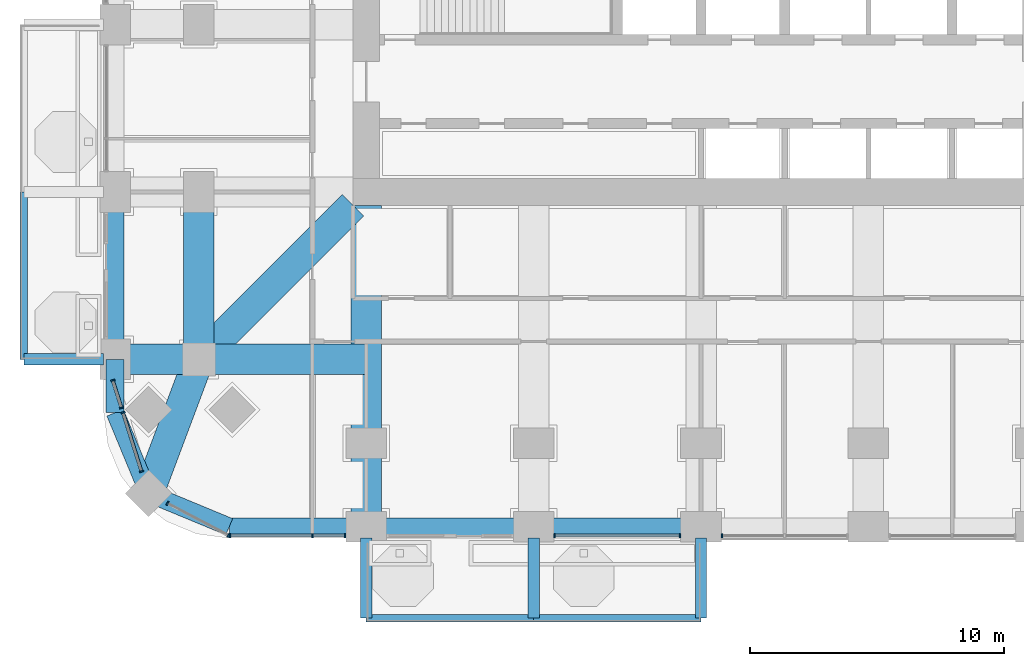
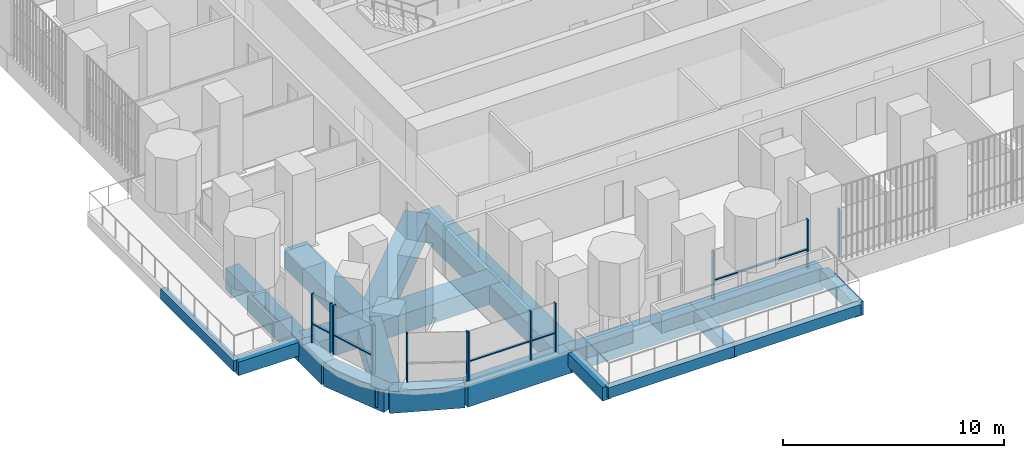
# One storey, part 2 of 21: 20 beams, 17 members, 6 elements without a shape of their own.
"""IFC4 building model written with IfcOpenShell, lengths in metres."""

from ifc_helpers import new_model, si_unit, direction, frame, origin, origin_2d, place, context, subcontext, project, spatial, rectangle, extrude, material, material_profile, profile_set, type_object, element, aggregate, save


model = new_model("IFC4")

# Units and contexts
model_context = context("Model", 3, precision=1e-05, world=origin(), true_north=direction((0.0, 1.0)))
body_context = subcontext(model_context, "Body", "Model", "MODEL_VIEW")
ifc_project = project(units=[si_unit("LENGTHUNIT", "METRE"), si_unit("AREAUNIT", "SQUARE_METRE"), si_unit("VOLUMEUNIT", "CUBIC_METRE"), si_unit("PLANEANGLEUNIT", "RADIAN"), si_unit("MASSUNIT", "GRAM", prefix="KILO")], contexts=[model_context])

# Site, building, storey
site_placement = place(None, origin())
site = spatial("IfcSite", under=ifc_project, at=site_placement, CompositionType="ELEMENT")
building_placement = place(site_placement, origin())
building = spatial("IfcBuilding", under=site, at=building_placement, Name="Cobogo Forest Laboratory Tower", CompositionType="ELEMENT")
storey_placement = place(building_placement, frame((0.0, 0.0, 107.39990234375)))
storey = spatial("IfcBuildingStorey", under=building, at=storey_placement, Name="L24", CompositionType="ELEMENT", Elevation=107.39990234375)

# Beams
ifc_material_1 = material(Name="Concrete HA-40 (C40/50)", Category="concrete")
ifc_material_profile_1 = material_profile(ifc_material_1, rectangle(XDim=0.449951171875, YDim=0.75, at=origin_2d()), Name="RC 450x750")
ifc_profile_set_1 = profile_set([ifc_material_profile_1], Name="Concrete HA-40 (C40/50)")
beam_type_1 = type_object("IfcBeamType", Name="Balcony cantilever beam 450x750", PredefinedType="BEAM", material=ifc_profile_set_1)
for number, where, z_axis, x_axis, name in (
    (1, (13.199951171875, -0.449951171875, -0.625), (0.0, -1.0, 0.0), (1.0, 0.0, 0.0), "CB1 BAL-S1-C1 L24"),
    (2, (19.800048828125, -0.449951171875, -0.625), (0.0, -1.0, 0.0), (1.0, 0.0, 0.0), "CB1 BAL-S1-C2 L24"),
    (3, (26.39990234375, -0.449951171875, -0.625), (0.0, -1.0, 0.0), (1.0, 0.0, 0.0), "CB1 BAL-S1-C3 L24"),
    (4, (2.85009765625, 6.60009765625, -0.625), (-1.0, 0.0, 0.0), (0.0, -1.0, 0.0), "CB1 BAL-W1-C1 L24"),
):
    element("IfcBeam", number, at=place(storey_placement, frame(where, z_axis=z_axis, x_axis=x_axis)), inside=storey, type_object=beam_type_1, Name=name, PredefinedType="BEAM", context=body_context, shape_type="SweptSolid", body=[
        extrude(rectangle(XDim=0.449951171875, YDim=0.75, at=origin_2d()), origin(), (0.0, 0.0, 1.0), 3.150146484375),
    ])
ifc_material_profile_2 = material_profile(ifc_material_1, rectangle(XDim=0.300048828125, YDim=0.60009765625, at=origin_2d()), Name="RC 300x600")
ifc_profile_set_2 = profile_set([ifc_material_profile_2], Name="Concrete HA-40 (C40/50)")
beam_type_2 = type_object("IfcBeamType", Name="Balcony edge beam 300x600", PredefinedType="BEAM", material=ifc_profile_set_2)
beam_1_placement = place(storey_placement, frame((13.199951171875, -3.60009765625, -0.5498046875), z_axis=(1.0, 0.0, 0.0), x_axis=(0.0, 1.0, 0.0)))
element("IfcBeam", 5, at=beam_1_placement, inside=storey, type_object=beam_type_2, Name="BB1 BAL-S1-T1 L24", PredefinedType="BEAM", context=body_context, shape_type="SweptSolid", body=[
    extrude(rectangle(XDim=0.300048828125, YDim=0.60009765625, at=origin_2d()), origin(), (0.0, 0.0, 1.0), 6.60009765625),
])
for number, where, z_axis, x_axis, name in (
    (6, (19.800048828125, -3.60009765625, -0.5498046875), (1.0, 0.0, 0.0), (0.0, 1.0, 0.0), "BB1 BAL-S1-T2 L24"),
    (7, (-0.300048828125, 6.60009765625, -0.5498046875), (0.0, 1.0, 0.0), (-1.0, 0.0, 0.0), "BB1 BAL-W1-T1 L24"),
):
    element("IfcBeam", number, at=place(storey_placement, frame(where, z_axis=z_axis, x_axis=x_axis)), inside=storey, type_object=beam_type_2, Name=name, PredefinedType="BEAM", context=body_context, shape_type="SweptSolid", body=[
        extrude(rectangle(XDim=0.300048828125, YDim=0.60009765625, at=origin_2d()), origin(), (0.0, 0.0, 1.0), 6.599853515625),
    ])
ifc_material_profile_3 = material_profile(ifc_material_1, rectangle(XDim=1.199951171875, YDim=1.050048828125, at=origin_2d()), Name="RC 1200x1050")
ifc_profile_set_3 = profile_set([ifc_material_profile_3], Name="Concrete HA-40 (C40/50)")
beam_type_3 = type_object("IfcBeamType", Name="Laboratory floor wide beam 1200x1050", PredefinedType="BEAM", material=ifc_profile_set_3)
beam_2_placement = place(storey_placement, frame((13.199951171875, 12.675048828125, -0.824951171875), z_axis=(0.0, -1.0, 0.0), x_axis=(1.0, 0.0, 0.0)))
element("IfcBeam", 8, at=beam_2_placement, inside=storey, type_object=beam_type_3, Name="RB1 R-3-S L24", PredefinedType="BEAM", context=body_context, shape_type="SweptSolid", body=[
    extrude(rectangle(XDim=1.199951171875, YDim=1.050048828125, at=origin_2d()), origin(), (0.0, 0.0, 1.0), 12.675048828125),
])
beam_3_placement = place(storey_placement, frame((6.60009765625, 6.60009765625, -0.824951171875), z_axis=(0.0, 1.0, 0.0), x_axis=(-1.0, 0.0, 0.0)))
element("IfcBeam", 9, at=beam_3_placement, inside=storey, type_object=beam_type_3, Name="RB1 G-SW-XC L24", PredefinedType="BEAM", context=body_context, shape_type="SweptSolid", body=[
    extrude(rectangle(XDim=1.199951171875, YDim=1.050048828125, at=origin_2d()), origin(), (0.0, 0.0, 1.0), 6.599853515625),
])
beam_4_placement = place(storey_placement, frame((3.300048828125, 6.60009765625, -0.824951171875), z_axis=(1.0, 0.0, 0.0), x_axis=(0.0, 1.0, 0.0)))
element("IfcBeam", 10, at=beam_4_placement, inside=storey, type_object=beam_type_3, Name="RB1 G-SW-YF L24", PredefinedType="BEAM", context=body_context, shape_type="SweptSolid", body=[
    extrude(rectangle(XDim=1.199951171875, YDim=1.050048828125, at=origin_2d()), origin(), (0.0, 0.0, 1.0), 3.300048828125),
])
beam_5_placement = place(storey_placement, frame((6.60009765625, 6.60009765625, -0.824951171875), z_axis=(1.0, 0.0, 0.0), x_axis=(0.0, 1.0, 0.0)))
element("IfcBeam", 11, at=beam_5_placement, inside=storey, type_object=beam_type_3, Name="RB1 G-SW-YC L24", PredefinedType="BEAM", context=body_context, shape_type="SweptSolid", body=[
    extrude(rectangle(XDim=1.199951171875, YDim=1.050048828125, at=origin_2d()), origin(), (0.0, 0.0, 1.0), 6.599853515625),
])
beam_6_placement = place(storey_placement, frame((4.617919921875, 1.318115234375, -0.824951171875), z_axis=(0.351346325373, 0.936245565889, 0.0), x_axis=(-0.936245565889, 0.351346325373, 0.0)))
element("IfcBeam", 12, at=beam_6_placement, inside=storey, type_object=beam_type_3, Name="RB1 G-SW-D1 L24", PredefinedType="BEAM", context=body_context, shape_type="SweptSolid", body=[
    extrude(rectangle(XDim=1.199951171875, YDim=1.050048828125, at=origin_2d()), origin(), (0.0, 0.0, 1.0), 5.6416015625),
])
beam_7_placement = place(storey_placement, frame((6.60009765625, 6.60009765625, -0.824951171875), z_axis=(0.707106781187, 0.707106781187, 0.0), x_axis=(-0.707106781187, 0.707106781187, 0.0)))
element("IfcBeam", 13, at=beam_7_placement, inside=storey, type_object=beam_type_3, Name="RB1 G-SW-D2 L24", PredefinedType="BEAM", context=body_context, shape_type="SweptSolid", body=[
    extrude(rectangle(XDim=1.199951171875, YDim=1.050048828125, at=origin_2d()), origin(), (0.0, 0.0, 1.0), 8.59130859375),
])

# Curtain wall, members
ifc_material_2 = material(Name="Aluminium curtain wall", Category="aluminium")
curtain_wall_type = type_object("IfcCurtainWallType", Name="CW-1 unitised curtain wall, clear glazing, laboratory floors zones A and B", PredefinedType="USERDEFINED", material=ifc_material_2)
curtain_wall_1_placement = place(storey_placement, origin())
curtain_wall_1 = element("IfcCurtainWall", 14, at=curtain_wall_1_placement, inside=storey, type_object=curtain_wall_type, Name="Curtain wall 01 L24", ObjectType="UNITISED CURTAIN WALL", PredefinedType="USERDEFINED")
ifc_material_3 = material(Name="Aluminium mullion", Category="aluminium")
ifc_material_profile_4 = material_profile(ifc_material_3, rectangle(XDim=0.06005859375, YDim=0.159912109375, at=origin_2d()), Name="AL 60x160")
ifc_profile_set_4 = profile_set([ifc_material_profile_4], Name="Aluminium mullion")
member_type_1 = type_object("IfcMemberType", Name="MU-1 aluminium mullion 60x160", PredefinedType="MULLION", material=ifc_profile_set_4)
member_1_placement = place(storey_placement, frame((7.830078125, -0.35009765625, 0.0), z_axis=(0.0, 0.0, 1.0), x_axis=(1.0, 0.0, 0.0)))
member_1 = element("IfcMember", 15, at=member_1_placement, type_object=member_type_1, Name="CW-1 mullion 1", PredefinedType="MULLION", context=body_context, shape_type="SweptSolid", body=[
    extrude(rectangle(XDim=0.06005859375, YDim=0.159912109375, at=origin_2d()), origin(), (0.0, 0.0, 1.0), 2.7001953125),
])
member_2_placement = place(storey_placement, frame((11.074951171875, -0.35009765625, 0.0), z_axis=(0.0, 0.0, 1.0), x_axis=(1.0, 0.0, 0.0)))
member_2 = element("IfcMember", 16, at=member_2_placement, type_object=member_type_1, Name="CW-1 mullion 2", PredefinedType="MULLION", context=body_context, shape_type="SweptSolid", body=[
    extrude(rectangle(XDim=0.06005859375, YDim=0.159912109375, at=origin_2d()), origin(), (0.0, 0.0, 1.0), 2.7001953125),
])
member_3_placement = place(storey_placement, frame((12.3701171875, -0.35009765625, 0.0), z_axis=(0.0, 0.0, 1.0), x_axis=(1.0, 0.0, 0.0)))
member_3 = element("IfcMember", 17, at=member_3_placement, type_object=member_type_1, Name="CW-1 mullion 3", PredefinedType="MULLION", context=body_context, shape_type="SweptSolid", body=[
    extrude(rectangle(XDim=0.06005859375, YDim=0.159912109375, at=origin_2d()), origin(), (0.0, 0.0, 1.0), 2.7001953125),
])

curtain_wall_2_placement = place(storey_placement, origin())
curtain_wall_2 = element("IfcCurtainWall", 18, at=curtain_wall_2_placement, inside=storey, type_object=curtain_wall_type, Name="Curtain wall 03 L24", ObjectType="UNITISED CURTAIN WALL", PredefinedType="USERDEFINED")
member_4_placement = place(storey_placement, frame((20.6298828125, -0.35009765625, 0.0), z_axis=(0.0, 0.0, 1.0), x_axis=(1.0, 0.0, 0.0)))
member_4 = element("IfcMember", 19, at=member_4_placement, type_object=member_type_1, Name="CW-1 mullion 1", PredefinedType="MULLION", context=body_context, shape_type="SweptSolid", body=[
    extrude(rectangle(XDim=0.06005859375, YDim=0.159912109375, at=origin_2d()), origin(), (0.0, 0.0, 1.0), 2.7001953125),
])
member_5_placement = place(storey_placement, frame((25.570068359375, -0.35009765625, 0.0), z_axis=(0.0, 0.0, 1.0), x_axis=(1.0, 0.0, 0.0)))
member_5 = element("IfcMember", 20, at=member_5_placement, type_object=member_type_1, Name="CW-1 mullion 2", PredefinedType="MULLION", context=body_context, shape_type="SweptSolid", body=[
    extrude(rectangle(XDim=0.06005859375, YDim=0.159912109375, at=origin_2d()), origin(), (0.0, 0.0, 1.0), 2.7001953125),
])

# Curtain wall, member
curtain_wall_3_placement = place(storey_placement, origin())
curtain_wall_3 = element("IfcCurtainWall", 21, at=curtain_wall_3_placement, inside=storey, type_object=curtain_wall_type, Name="Curtain wall 04 L24", ObjectType="UNITISED CURTAIN WALL", PredefinedType="USERDEFINED")
member_6_placement = place(storey_placement, frame((27.22998046875, -0.35009765625, 0.0), z_axis=(0.0, 0.0, 1.0), x_axis=(1.0, 0.0, 0.0)))
member_6 = element("IfcMember", 22, at=member_6_placement, type_object=member_type_1, Name="CW-1 mullion 1", PredefinedType="MULLION", context=body_context, shape_type="SweptSolid", body=[
    extrude(rectangle(XDim=0.06005859375, YDim=0.159912109375, at=origin_2d()), origin(), (0.0, 0.0, 1.0), 2.7001953125),
])
aggregate(curtain_wall_3, [member_6])

# Curtain wall, members
curtain_wall_4_placement = place(storey_placement, origin())
curtain_wall_4 = element("IfcCurtainWall", 23, at=curtain_wall_4_placement, inside=storey, type_object=curtain_wall_type, Name="Curtain wall 32 L24", ObjectType="UNITISED CURTAIN WALL", PredefinedType="USERDEFINED")
member_7_placement = place(storey_placement, frame((3.211669921875, 5.771484375, 0.0), z_axis=(0.0, 0.0, 1.0), x_axis=(0.301135667865, -0.953581307252, 0.0)))
member_7 = element("IfcMember", 24, at=member_7_placement, type_object=member_type_1, Name="CW-1 mullion 1", PredefinedType="MULLION", context=body_context, shape_type="SweptSolid", body=[
    extrude(rectangle(XDim=0.06005859375, YDim=0.159912109375, at=origin_2d()), origin(), (0.0, 0.0, 1.0), 2.7001953125),
])
member_8_placement = place(storey_placement, frame((3.55224609375, 4.69287109375, 0.0), z_axis=(0.0, 0.0, 1.0), x_axis=(0.301135667865, -0.953581307252, 0.0)))
member_8 = element("IfcMember", 25, at=member_8_placement, type_object=member_type_1, Name="CW-1 mullion 2", PredefinedType="MULLION", context=body_context, shape_type="SweptSolid", body=[
    extrude(rectangle(XDim=0.06005859375, YDim=0.159912109375, at=origin_2d()), origin(), (0.0, 0.0, 1.0), 2.7001953125),
])

curtain_wall_5_placement = place(storey_placement, origin())
curtain_wall_5 = element("IfcCurtainWall", 26, at=curtain_wall_5_placement, inside=storey, type_object=curtain_wall_type, Name="Curtain wall 33 L24", ObjectType="UNITISED CURTAIN WALL", PredefinedType="USERDEFINED")
member_9_placement = place(storey_placement, frame((3.613037109375, 4.500244140625, 0.0), z_axis=(0.0, 0.0, 1.0), x_axis=(0.301135291996, -0.953581425949, 0.0)))
member_9 = element("IfcMember", 27, at=member_9_placement, type_object=member_type_1, Name="CW-1 mullion 1", PredefinedType="MULLION", context=body_context, shape_type="SweptSolid", body=[
    extrude(rectangle(XDim=0.06005859375, YDim=0.159912109375, at=origin_2d()), origin(), (0.0, 0.0, 1.0), 2.7001953125),
])
member_10_placement = place(storey_placement, frame((4.34423828125, 2.18505859375, 0.0), z_axis=(0.0, 0.0, 1.0), x_axis=(0.301135291996, -0.953581425949, 0.0)))
member_10 = element("IfcMember", 28, at=member_10_placement, type_object=member_type_1, Name="CW-1 mullion 2", PredefinedType="MULLION", context=body_context, shape_type="SweptSolid", body=[
    extrude(rectangle(XDim=0.06005859375, YDim=0.159912109375, at=origin_2d()), origin(), (0.0, 0.0, 1.0), 2.7001953125),
])

curtain_wall_6_placement = place(storey_placement, origin())
curtain_wall_6 = element("IfcCurtainWall", 29, at=curtain_wall_6_placement, inside=storey, type_object=curtain_wall_type, Name="Curtain wall 34 L24", ObjectType="UNITISED CURTAIN WALL", PredefinedType="USERDEFINED")
member_11_placement = place(storey_placement, frame((5.368408203125, 0.9248046875, 0.0), z_axis=(0.0, 0.0, 1.0), x_axis=(0.885686547075, -0.464283685186, 0.0)))
member_11 = element("IfcMember", 30, at=member_11_placement, type_object=member_type_1, Name="CW-1 mullion 1", PredefinedType="MULLION", context=body_context, shape_type="SweptSolid", body=[
    extrude(rectangle(XDim=0.06005859375, YDim=0.159912109375, at=origin_2d()), origin(), (0.0, 0.0, 1.0), 2.7001953125),
])
member_12_placement = place(storey_placement, frame((7.7734375, -0.336181640625, 0.0), z_axis=(0.0, 0.0, 1.0), x_axis=(0.885686547075, -0.464283685186, 0.0)))
member_12 = element("IfcMember", 31, at=member_12_placement, type_object=member_type_1, Name="CW-1 mullion 2", PredefinedType="MULLION", context=body_context, shape_type="SweptSolid", body=[
    extrude(rectangle(XDim=0.06005859375, YDim=0.159912109375, at=origin_2d()), origin(), (0.0, 0.0, 1.0), 2.7001953125),
])
aggregate(curtain_wall_6, [member_11, member_12])

# Beams
ifc_material_profile_5 = material_profile(ifc_material_1, rectangle(XDim=0.699951171875, YDim=1.199951171875, at=origin_2d()), Name="RC 700x1200")
ifc_profile_set_5 = profile_set([ifc_material_profile_5], Name="Concrete HA-40 (C40/50)")
beam_type_4 = type_object("IfcBeamType", Name="Perimeter edge beam 700x1200", PredefinedType="BEAM", material=ifc_profile_set_5)
beam_8_placement = place(storey_placement, frame((13.199951171875, 0.0, -0.89990234375), z_axis=(1.0, 0.0, 0.0), x_axis=(0.0, 1.0, 0.0)))
element("IfcBeam", 32, at=beam_8_placement, inside=storey, type_object=beam_type_4, Name="EB1 E-S1 L24", PredefinedType="BEAM", context=body_context, shape_type="SweptSolid", body=[
    extrude(rectangle(XDim=0.699951171875, YDim=1.199951171875, at=origin_2d()), origin(), (0.0, 0.0, 1.0), 6.60009765625),
])
for number, where, z_axis, x_axis, name in (
    (33, (19.800048828125, 0.0, -0.89990234375), (1.0, 0.0, 0.0), (0.0, 1.0, 0.0), "EB1 E-S2 L24"),
    (34, (3.300048828125, 6.60009765625, -0.89990234375), (0.0, 1.0, 0.0), (-1.0, 0.0, 0.0), "EB1 E-W1 L24"),
):
    element("IfcBeam", number, at=place(storey_placement, frame(where, z_axis=z_axis, x_axis=x_axis)), inside=storey, type_object=beam_type_4, Name=name, PredefinedType="BEAM", context=body_context, shape_type="SweptSolid", body=[
        extrude(rectangle(XDim=0.699951171875, YDim=1.199951171875, at=origin_2d()), origin(), (0.0, 0.0, 1.0), 6.599853515625),
    ])
beam_9_placement = place(storey_placement, frame((13.199951171875, 0.0, -0.89990234375), z_axis=(-1.0, 0.0, 0.0), x_axis=(0.0, -1.0, 0.0)))
element("IfcBeam", 35, at=beam_9_placement, inside=storey, type_object=beam_type_4, Name="EB1 E-SWS1 L24", PredefinedType="BEAM", context=body_context, shape_type="SweptSolid", body=[
    extrude(rectangle(XDim=0.699951171875, YDim=1.199951171875, at=origin_2d()), origin(), (0.0, 0.0, 1.0), 5.39990234375),
])
beam_10_placement = place(storey_placement, frame((7.800048828125, 0.0, -0.89990234375), z_axis=(-0.923876013265, 0.382691928466, 0.0), x_axis=(-0.382691928466, -0.923876013265, 0.0)))
element("IfcBeam", 36, at=beam_10_placement, inside=storey, type_object=beam_type_4, Name="EB1 E-SWS2 L24", PredefinedType="BEAM", context=body_context, shape_type="SweptSolid", body=[
    extrude(rectangle(XDim=0.699951171875, YDim=1.199951171875, at=origin_2d()), origin(), (0.0, 0.0, 1.0), 3.4443359375),
])
beam_11_placement = place(storey_placement, frame((3.300048828125, 6.60009765625, -0.89990234375), z_axis=(0.0, -1.0, 0.0), x_axis=(1.0, 0.0, 0.0)))
element("IfcBeam", 37, at=beam_11_placement, inside=storey, type_object=beam_type_4, Name="EB1 E-SWW1 L24", PredefinedType="BEAM", context=body_context, shape_type="SweptSolid", body=[
    extrude(rectangle(XDim=0.699951171875, YDim=1.199951171875, at=origin_2d()), origin(), (0.0, 0.0, 1.0), 2.10009765625),
])
beam_12_placement = place(storey_placement, frame((3.300048828125, 4.5, -0.89990234375), z_axis=(0.382656484822, -0.923890694089, 0.0), x_axis=(0.923890694089, 0.382656484822, 0.0)))
element("IfcBeam", 38, at=beam_12_placement, inside=storey, type_object=beam_type_4, Name="EB1 E-SWW2 L24", PredefinedType="BEAM", context=body_context, shape_type="SweptSolid", body=[
    extrude(rectangle(XDim=0.699951171875, YDim=1.199951171875, at=origin_2d()), origin(), (0.0, 0.0, 1.0), 3.444091796875),
])

# Member
ifc_material_4 = material(Name="Aluminium transom", Category="aluminium")
ifc_material_profile_6 = material_profile(ifc_material_4, rectangle(XDim=0.1201171875, YDim=0.06005859375, at=origin_2d()), Name="AL 60x120")
ifc_profile_set_6 = profile_set([ifc_material_profile_6], Name="Aluminium transom")
member_type_2 = type_object("IfcMemberType", Name="TR-1 aluminium transom 60x120", PredefinedType="USERDEFINED", material=ifc_profile_set_6)
member_13_placement = place(storey_placement, frame((7.860107421875, -0.35009765625, 1.050048828125), z_axis=(1.0, 0.0, 0.0), x_axis=(0.0, 1.0, 0.0)))
member_13 = element("IfcMember", 39, at=member_13_placement, type_object=member_type_2, Name="CW-1 transom 1.1", ObjectType="TRANSOM", PredefinedType="USERDEFINED", context=body_context, shape_type="SweptSolid", body=[
    extrude(rectangle(XDim=0.1201171875, YDim=0.06005859375, at=origin_2d()), origin(), (0.0, 0.0, 1.0), 3.184814453125),
])

member_14_placement = place(storey_placement, frame((11.10498046875, -0.35009765625, 1.050048828125), z_axis=(1.0, 0.0, 0.0), x_axis=(0.0, 1.0, 0.0)))
member_14 = element("IfcMember", 40, at=member_14_placement, type_object=member_type_2, Name="CW-1 transom 2.1", ObjectType="TRANSOM", PredefinedType="USERDEFINED", context=body_context, shape_type="SweptSolid", body=[
    extrude(rectangle(XDim=0.1201171875, YDim=0.06005859375, at=origin_2d()), origin(), (0.0, 0.0, 1.0), 1.235107421875),
])

aggregate(curtain_wall_1, [member_1, member_2, member_3, member_13, member_14])

member_15_placement = place(storey_placement, frame((20.659912109375, -0.35009765625, 1.050048828125), z_axis=(1.0, 0.0, 0.0), x_axis=(0.0, 1.0, 0.0)))
member_15 = element("IfcMember", 41, at=member_15_placement, type_object=member_type_2, Name="CW-1 transom 1.1", ObjectType="TRANSOM", PredefinedType="USERDEFINED", context=body_context, shape_type="SweptSolid", body=[
    extrude(rectangle(XDim=0.1201171875, YDim=0.06005859375, at=origin_2d()), origin(), (0.0, 0.0, 1.0), 4.880126953125),
])

aggregate(curtain_wall_2, [member_4, member_5, member_15])

member_16_placement = place(storey_placement, frame((3.220703125, 5.74267578125, 1.050048828125), z_axis=(0.301207754852, -0.953558539586, 0.0), x_axis=(0.953558539586, 0.301207754852, 0.0)))
member_16 = element("IfcMember", 42, at=member_16_placement, type_object=member_type_2, Name="CW-1 transom 1.1", ObjectType="TRANSOM", PredefinedType="USERDEFINED", context=body_context, shape_type="SweptSolid", body=[
    extrude(rectangle(XDim=0.1201171875, YDim=0.06005859375, at=origin_2d()), origin(), (0.0, 0.0, 1.0), 1.07080078125),
])

aggregate(curtain_wall_4, [member_7, member_8, member_16])

member_17_placement = place(storey_placement, frame((3.6220703125, 4.4716796875, 1.050048828125), z_axis=(0.301156039198, -0.953574873859, 0.0), x_axis=(0.953574873859, 0.301156039198, 0.0)))
member_17 = element("IfcMember", 43, at=member_17_placement, type_object=member_type_2, Name="CW-1 transom 1.1", ObjectType="TRANSOM", PredefinedType="USERDEFINED", context=body_context, shape_type="SweptSolid", body=[
    extrude(rectangle(XDim=0.1201171875, YDim=0.06005859375, at=origin_2d()), origin(), (0.0, 0.0, 1.0), 2.367919921875),
])

aggregate(curtain_wall_5, [member_9, member_10, member_17])

save(model, "model.ifc")
